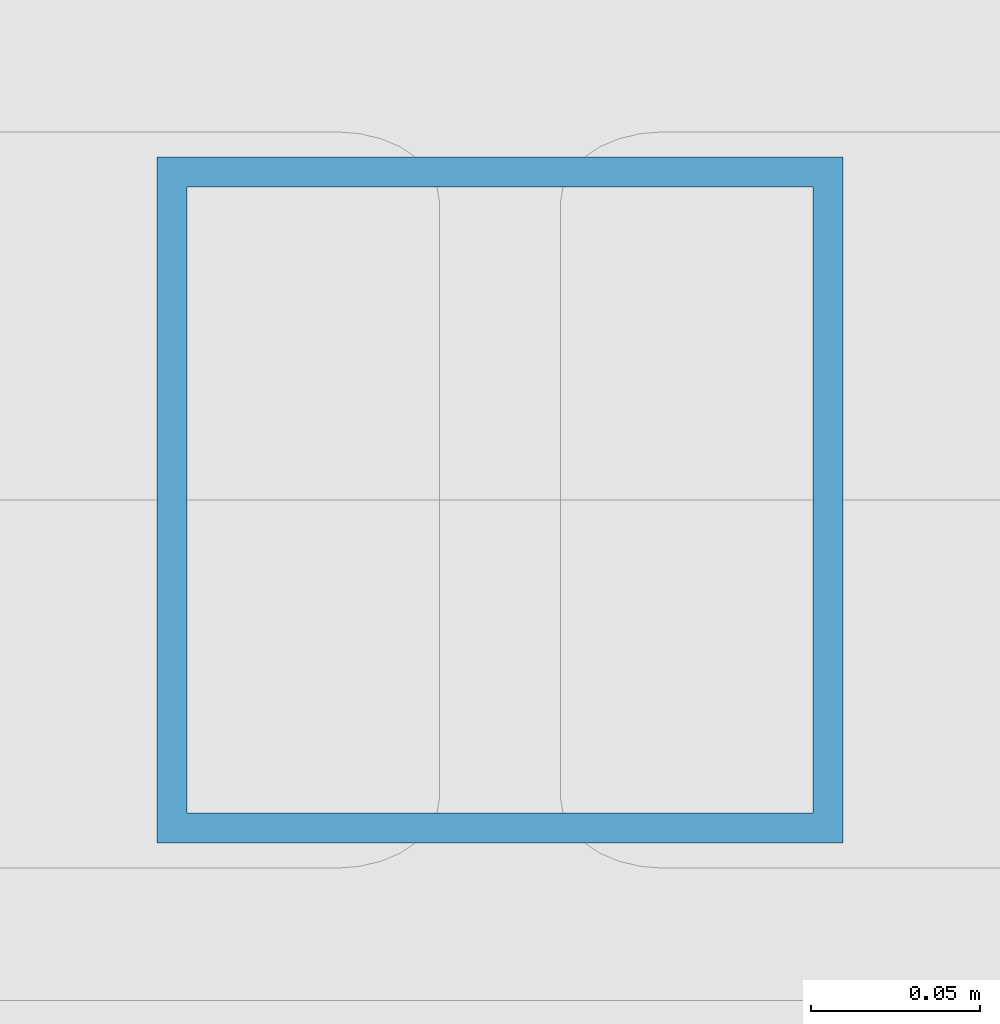
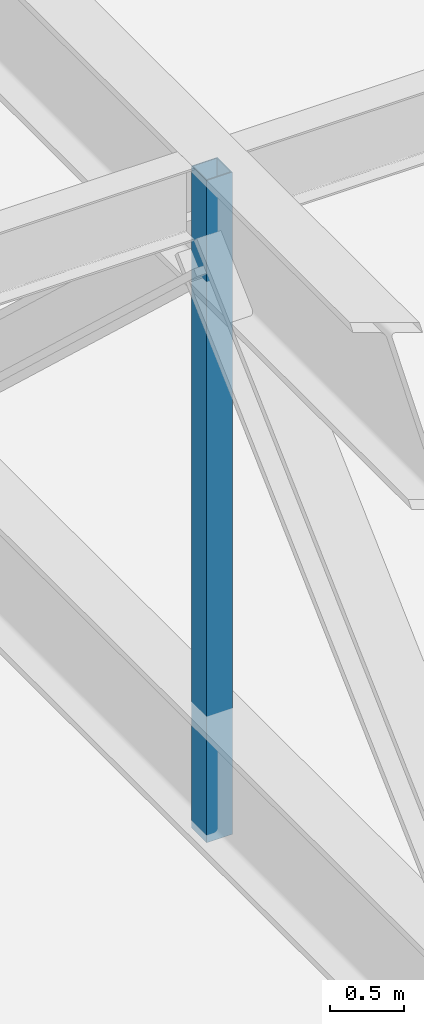
# One storey, part 21 of 108: 1 member.
"""IFC4 building model written with IfcOpenShell, lengths in metres."""

from ifc_helpers import new_model, si_unit, direction, frame, origin, origin_2d, place, context, subcontext, project, spatial, hollow_rectangle, extrude, material, material_profile, profile_set, type_object, element, save


model = new_model("IFC4")

# Units and contexts
model_context = context("Model", 3, precision=1e-05, world=origin(), true_north=direction((0.0, 1.0)))
body_context = subcontext(model_context, "Body", "Model", "MODEL_VIEW")
ifc_project = project(units=[si_unit("LENGTHUNIT", "METRE"), si_unit("AREAUNIT", "SQUARE_METRE"), si_unit("VOLUMEUNIT", "CUBIC_METRE"), si_unit("PLANEANGLEUNIT", "RADIAN"), si_unit("MASSUNIT", "GRAM", prefix="KILO")], contexts=[model_context])

# Site, building, storey
site_placement = place(None, origin())
site = spatial("IfcSite", under=ifc_project, at=site_placement, CompositionType="ELEMENT")
building_placement = place(site_placement, origin())
building = spatial("IfcBuilding", under=site, at=building_placement, Name="Kaldorvane Square Convention Centre", CompositionType="ELEMENT")
storey_placement = place(building_placement, frame((0.0, 0.0, 12.0)))
storey = spatial("IfcBuildingStorey", under=building, at=storey_placement, Name="L02", CompositionType="ELEMENT", Elevation=12.0)

# Member
ifc_material = material(Name="Steel ASTM A500 Gr. C", Category="steel")
ifc_material_profile = material_profile(ifc_material, hollow_rectangle(XDim=0.2032012939453125, YDim=0.2032012939453125, WallThickness=0.0088958740234375, at=origin_2d()), Name="HSS8X8X3/8")
ifc_profile_set = profile_set([ifc_material_profile], Name="Steel ASTM A500 Gr. C")
member_type = type_object("IfcMemberType", Name="MB-PS-HSS8", PredefinedType="POST", material=ifc_profile_set)
member_placement = place(storey_placement, frame((30.0, 31.5, 0.0), z_axis=(0.0, 0.0, 1.0), x_axis=(1.0, 0.0, 0.0)))
element("IfcMember", 1, at=member_placement, inside=storey, type_object=member_type, Name="Plenum Structural Post 01", PredefinedType="POST", context=body_context, shape_type="SweptSolid", body=[
    extrude(hollow_rectangle(XDim=0.2032012939453125, YDim=0.2032012939453125, WallThickness=0.0088958740234375, at=origin_2d()), origin(), (0.0, 0.0, 1.0), 5.5),
])

save(model, "model.ifc")
